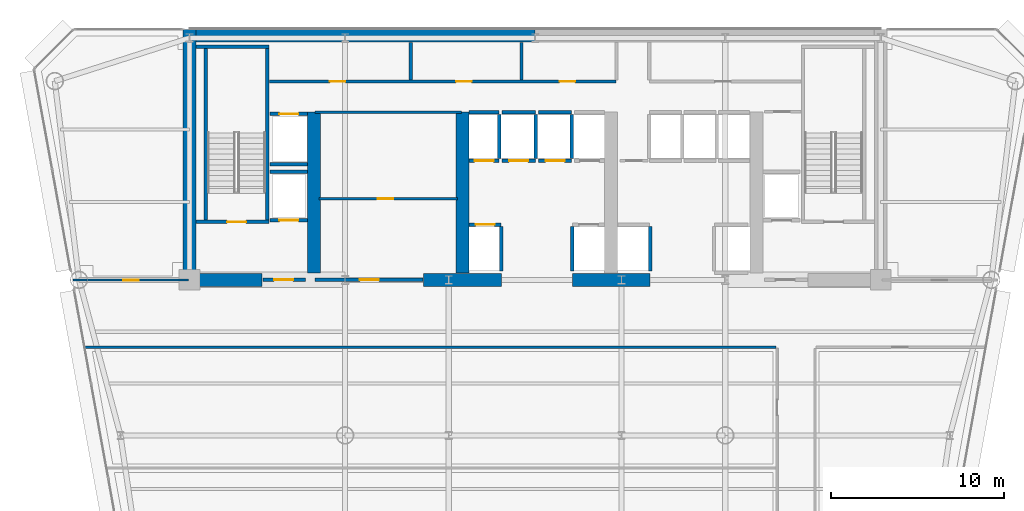
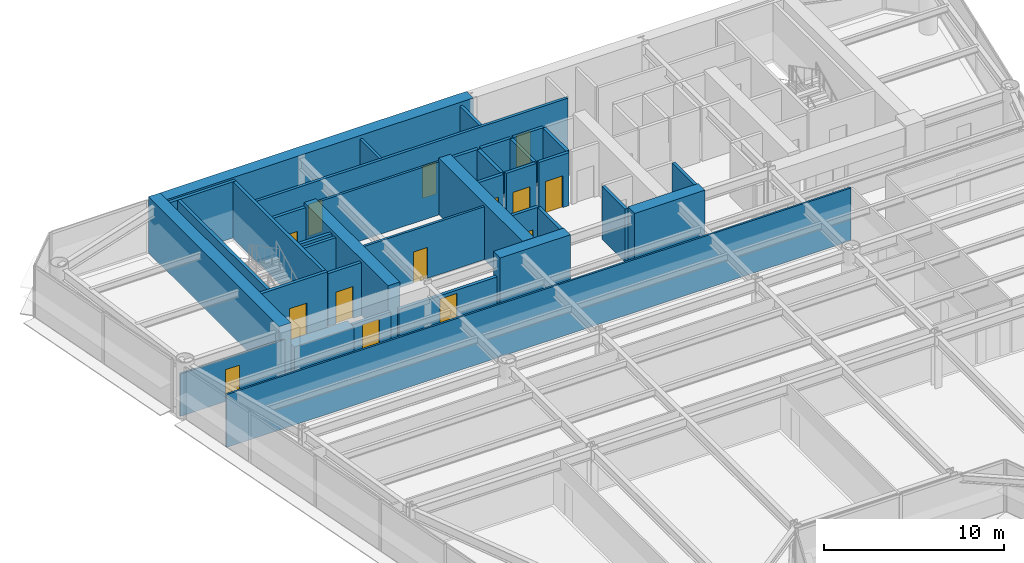
# One storey, part 8 of 14: 37 walls, 14 doors, 14 openings.
"""IFC4 building model written with IfcOpenShell, lengths in metres."""

from ifc_helpers import new_model, si_unit, direction, frame, frame_2d, origin, place, context, subcontext, project, spatial, rectangle, extrude, source, transform, mapped, material, layer, layer_set, type_object, element, fill, save


model = new_model("IFC4")

# Units and contexts
model_context = context("Model", 3, precision=1e-05, world=origin(), true_north=direction((0.0, 1.0)))
body_context = subcontext(model_context, "Body", "Model", "MODEL_VIEW")
ifc_project = project(units=[si_unit("LENGTHUNIT", "METRE"), si_unit("AREAUNIT", "SQUARE_METRE"), si_unit("VOLUMEUNIT", "CUBIC_METRE"), si_unit("PLANEANGLEUNIT", "RADIAN"), si_unit("MASSUNIT", "GRAM", prefix="KILO")], contexts=[model_context])

# Site, building, storey
site_placement = place(None, origin())
site = spatial("IfcSite", under=ifc_project, at=site_placement, CompositionType="ELEMENT")
building_placement = place(site_placement, origin())
building = spatial("IfcBuilding", under=site, at=building_placement, Name="Vaeldorn Concourse Tower", CompositionType="ELEMENT")
storey_placement = place(building_placement, frame((0.0, 0.0, 133.800048828125)))
storey = spatial("IfcBuildingStorey", under=building, at=storey_placement, Name="L34", CompositionType="ELEMENT", Elevation=133.800048828125)

# Walls
ifc_material_1 = material(Name="Concrete C60/75", Category="concrete")
ifc_layer_1 = layer(ifc_material_1, 0.75)
ifc_layer_set_1 = layer_set([ifc_layer_1], Name="Concrete C60/75")
wall_type_1 = type_object("IfcWallType", Name="WL-CORE-750", PredefinedType="SHEAR", material=ifc_layer_set_1)
wall_1_placement = place(storey_placement, frame((14.37890625, 50.625, 0.0), z_axis=(0.0, 0.0, 1.0), x_axis=(1.0, 0.0, 0.0)))
element("IfcWall", 1, at=wall_1_placement, inside=storey, type_object=wall_type_1, Name="Rear Core Shear Wall L34 N1", PredefinedType="SHEAR", context=body_context, shape_type="SweptSolid", body=[
    extrude(rectangle(XDim=19.619140625, YDim=0.75, at=frame_2d((9.8095703125, 0.0))), origin(), (0.0, 0.0, 1.0), 3.800048828125),
])
wall_2_placement = place(storey_placement, frame((14.0, 36.5, 0.0), z_axis=(0.0, 0.0, 1.0), x_axis=(0.0, 1.0, 0.0)))
element("IfcWall", 2, at=wall_2_placement, inside=storey, type_object=wall_type_1, Name="Rear Core Shear Wall L34 W1", PredefinedType="SHEAR", context=body_context, shape_type="SweptSolid", body=[
    extrude(rectangle(XDim=14.5, YDim=0.75, at=frame_2d((7.25, 0.0))), origin(), (0.0, 0.0, 1.0), 3.800048828125),
])
wall_3_placement = place(storey_placement, frame((14.39501953125, 36.5, 0.0), z_axis=(0.0, 0.0, 1.0), x_axis=(1.0, 0.0, 0.0)))
element("IfcWall", 3, at=wall_3_placement, inside=storey, type_object=wall_type_1, Name="Rear Core Shear Wall L34 S1", PredefinedType="SHEAR", context=body_context, shape_type="SweptSolid", body=[
    extrude(rectangle(XDim=3.804931640625, YDim=0.75, at=frame_2d((1.90234375, 0.0))), origin(), (0.0, 0.0, 1.0), 2.3798828125),
])
for number, where, z_axis, x_axis, name in (
    (4, (27.550048828125, 36.5, 0.0), (0.0, 0.0, 1.0), (1.0, 0.0, 0.0), "Rear Core Shear Wall L34 S2"),
    (5, (36.14990234375, 36.5, 0.0), (0.0, 0.0, 1.0), (1.0, 0.0, 0.0), "Rear Core Shear Wall L34 S3"),
):
    element("IfcWall", number, at=place(storey_placement, frame(where, z_axis=z_axis, x_axis=x_axis)), inside=storey, type_object=wall_type_1, Name=name, PredefinedType="SHEAR", context=body_context, shape_type="SweptSolid", body=[
        extrude(rectangle(XDim=4.5, YDim=0.75, at=frame_2d((2.25, 0.0))), origin(), (0.0, 0.0, 1.0), 3.800048828125),
    ])
for number, where, z_axis, x_axis, name in (
    (6, (21.199951171875, 36.89501953125, 0.0), (0.0, 0.0, 1.0), (0.0, 1.0, 0.0), "Rear Core Shear Wall L34 M1"),
    (7, (29.800048828125, 36.89501953125, 0.0), (0.0, 0.0, 1.0), (0.0, 1.0, 0.0), "Rear Core Shear Wall L34 M2"),
):
    element("IfcWall", number, at=place(storey_placement, frame(where, z_axis=z_axis, x_axis=x_axis)), inside=storey, type_object=wall_type_1, Name=name, PredefinedType="SHEAR", context=body_context, shape_type="SweptSolid", body=[
        extrude(rectangle(XDim=9.304931640625, YDim=0.75, at=frame_2d((4.65234375, 0.0))), origin(), (0.0, 0.0, 1.0), 3.800048828125),
    ])
ifc_material_2 = material(Name="Gypsum Board Partition", Category="gypsum")
ifc_layer_2 = layer(ifc_material_2, 0.1201171875)
ifc_layer_set_2 = layer_set([ifc_layer_2], Name="Gypsum Board Partition")
wall_type_2 = type_object("IfcWallType", Name="WL-PART-120", PredefinedType="PARTITIONING", material=ifc_layer_set_2)
wall_4_placement = place(storey_placement, frame((7.964111328125, 32.60009765625, 0.0), z_axis=(0.0, 0.0, 1.0), x_axis=(1.0, 0.0, 0.0)))
element("IfcWall", 8, at=wall_4_placement, inside=storey, type_object=wall_type_2, Name="Interior Wall PW-L34-C2SW", PredefinedType="PARTITIONING", context=body_context, shape_type="SweptSolid", body=[
    extrude(rectangle(XDim=39.975830078125, YDim=0.1201171875, at=frame_2d((19.98779296875, 0.0))), origin(), (0.0, 0.0, 1.0), 3.579833984375),
])

# Wall, opening, door
wall_5_placement = place(storey_placement, frame((7.264892578125, 36.47998046875, 0.0), z_axis=(0.0, 0.0, 1.0), x_axis=(1.0, 0.0, 0.0)))
wall_5 = element("IfcWall", 9, at=wall_5_placement, inside=storey, type_object=wall_type_2, Name="Interior Wall PW-L34-NWS", PredefinedType="PARTITIONING", context=body_context, shape_type="SweptSolid", body=[
    extrude(rectangle(XDim=6.675048828125, YDim=0.1201171875, at=frame_2d((3.33740234375, 0.0))), origin(), (0.0, 0.0, 1.0), 2.869873046875),
])
opening_1_placement = place(wall_5_placement, frame((2.887939453125, 0.0, 0.0)))
opening_1 = element("IfcOpeningElement", 10, at=opening_1_placement, cuts=wall_5, Name="Opening D-03", PredefinedType="OPENING", context=body_context, shape_type="SweptSolid", body=[
    extrude(rectangle(XDim=0.89990234375, YDim=2.14990234375, at=frame_2d((0.449951171875, 1.074951171875))), frame((0.0, 0.070068359375, 0.0), z_axis=(0.0, -1.0, 0.0), x_axis=(1.0, 0.0, 0.0)), (0.0, 0.0, 1.0), 0.14013671875),
])
ifc_material_3 = material(Name="Acoustic Bronze-Framed Glass Door", Category="glass")
door_type_1 = type_object("IfcDoorType", Name="DR-INT-900", OperationType="NOTDEFINED", PredefinedType="DOOR", material=ifc_material_3)
shared_shape_1 = source(origin(), body_context, "Body", "SweptSolid", [
    extrude(rectangle(XDim=0.89990234375, YDim=2.14990234375, at=frame_2d((0.449951171875, 1.074951171875))), frame((0.0, 0.02490234375, 0.0), z_axis=(0.0, -1.0, 0.0), x_axis=(1.0, 0.0, 0.0)), (0.0, 0.0, 1.0), 0.050048828125),
])
door_1_placement = place(opening_1_placement, origin())
door_1 = element("IfcDoor", 11, at=door_1_placement, inside=storey, type_object=door_type_1, Name="Interior Door DR-L34-NWC", OperationType="SINGLE_SWING_LEFT", OverallHeight=2.14990234375, OverallWidth=0.89990234375, PredefinedType="DOOR", context=body_context, shape_type="MappedRepresentation", body=[
    mapped(shared_shape_1, transform((0.0, 0.0, 0.0), scale=1.0)),
])
fill(opening_1, door_1)

# Wall
ifc_layer_3 = layer(ifc_material_2, 0.14990234375)
ifc_layer_set_3 = layer_set([ifc_layer_3], Name="Gypsum Board Partition")
wall_type_3 = type_object("IfcWallType", Name="WL-PART-150", PredefinedType="PARTITIONING", material=ifc_layer_set_3)
wall_6_placement = place(storey_placement, frame((21.25, 46.199951171875, 0.0), z_axis=(0.0, 0.0, 1.0), x_axis=(1.0, 0.0, 0.0)))
element("IfcWall", 12, at=wall_6_placement, inside=storey, type_object=wall_type_3, Name="Interior Wall CW-L34-R1N", PredefinedType="PARTITIONING", context=body_context, shape_type="SweptSolid", body=[
    extrude(rectangle(XDim=8.5, YDim=0.14990234375, at=frame_2d((4.25, 0.0))), origin(), (0.0, 0.0, 1.0), 3.579833984375),
])

# Wall, opening, door
wall_7_placement = place(storey_placement, frame((21.5, 41.199951171875, 0.0), z_axis=(0.0, 0.0, 1.0), x_axis=(1.0, 0.0, 0.0)))
wall_7 = element("IfcWall", 13, at=wall_7_placement, inside=storey, type_object=wall_type_3, Name="Interior Wall CW-L34-R1M", PredefinedType="PARTITIONING", context=body_context, shape_type="SweptSolid", body=[
    extrude(rectangle(XDim=8.0, YDim=0.14990234375, at=frame_2d((4.0, 0.0))), origin(), (0.0, 0.0, 1.0), 3.579833984375),
])
opening_2_placement = place(wall_7_placement, frame((3.39990234375, 0.0, 0.0)))
opening_2 = element("IfcOpeningElement", 14, at=opening_2_placement, cuts=wall_7, Name="Opening D-02", PredefinedType="OPENING", context=body_context, shape_type="SweptSolid", body=[
    extrude(rectangle(XDim=0.89990234375, YDim=2.10009765625, at=frame_2d((0.449951171875, 1.050048828125))), frame((0.0, 0.0849609375, 0.0), z_axis=(0.0, -1.0, 0.0), x_axis=(1.0, 0.0, 0.0)), (0.0, 0.0, 1.0), 0.169921875),
])
ifc_material_4 = material(Name="Fire-Rated Timber Leaf", Category="wood")
door_type_2 = type_object("IfcDoorType", Name="DR-FD30-900", OperationType="NOTDEFINED", PredefinedType="DOOR", material=ifc_material_4)
shared_shape_2 = source(origin(), body_context, "Body", "SweptSolid", [
    extrude(rectangle(XDim=0.89990234375, YDim=2.10009765625, at=frame_2d((0.449951171875, 1.050048828125))), frame((0.0, 0.02490234375, 0.0), z_axis=(0.0, -1.0, 0.0), x_axis=(1.0, 0.0, 0.0)), (0.0, 0.0, 1.0), 0.050048828125),
])
door_2_placement = place(opening_2_placement, origin())
door_2 = element("IfcDoor", 15, at=door_2_placement, inside=storey, type_object=door_type_2, Name="Interior Door DR-L34-R1M", OperationType="SINGLE_SWING_RIGHT", OverallHeight=2.10009765625, OverallWidth=0.89990234375, PredefinedType="DOOR", context=body_context, shape_type="MappedRepresentation", body=[
    mapped(shared_shape_2, transform((0.0, 0.0, 0.0), scale=1.0)),
])
fill(opening_2, door_2)

# Wall, openings, doors
ifc_layer_4 = layer(ifc_material_2, 0.179931640625)
ifc_layer_set_4 = layer_set([ifc_layer_4], Name="Gypsum Board Partition")
wall_type_4 = type_object("IfcWallType", Name="WL-PLUMB-180", PredefinedType="PLUMBINGWALL", material=ifc_layer_set_4)
wall_8_placement = place(storey_placement, frame((18.6201171875, 47.97998046875, 0.0), z_axis=(0.0, 0.0, 1.0), x_axis=(1.0, 0.0, 0.0)))
wall_8 = element("IfcWall", 16, at=wall_8_placement, inside=storey, type_object=wall_type_4, Name="Interior Wall CW-L34-NS1W", PredefinedType="PLUMBINGWALL", context=body_context, shape_type="SweptSolid", body=[
    extrude(rectangle(XDim=20.059814453125, YDim=0.179931640625, at=frame_2d((10.02978515625, 0.0))), origin(), (0.0, 0.0, 1.0), 3.579833984375),
])
opening_3_placement = place(wall_8_placement, frame((3.5, 0.0, 0.0)))
opening_3 = element("IfcOpeningElement", 17, at=opening_3_placement, cuts=wall_8, Name="Opening D-03", PredefinedType="OPENING", context=body_context, shape_type="SweptSolid", body=[
    extrude(rectangle(XDim=0.89990234375, YDim=2.14990234375, at=frame_2d((0.449951171875, 1.074951171875))), frame((0.0, 0.10009765625, 0.0), z_axis=(0.0, -1.0, 0.0), x_axis=(1.0, 0.0, 0.0)), (0.0, 0.0, 1.0), 0.199951171875),
])
opening_4_placement = place(wall_8_placement, frame((10.800048828125, 0.0, 0.0)))
opening_4 = element("IfcOpeningElement", 18, at=opening_4_placement, cuts=wall_8, Name="Opening D-03", PredefinedType="OPENING", context=body_context, shape_type="SweptSolid", body=[
    extrude(rectangle(XDim=0.89990234375, YDim=2.14990234375, at=frame_2d((0.449951171875, 1.074951171875))), frame((0.0, 0.10009765625, 0.0), z_axis=(0.0, -1.0, 0.0), x_axis=(1.0, 0.0, 0.0)), (0.0, 0.0, 1.0), 0.199951171875),
])
opening_5_placement = place(wall_8_placement, frame((16.800048828125, 0.0, 0.0)))
opening_5 = element("IfcOpeningElement", 19, at=opening_5_placement, cuts=wall_8, Name="Opening D-03", PredefinedType="OPENING", context=body_context, shape_type="SweptSolid", body=[
    extrude(rectangle(XDim=0.89990234375, YDim=2.14990234375, at=frame_2d((0.449951171875, 1.074951171875))), frame((0.0, 0.10009765625, 0.0), z_axis=(0.0, -1.0, 0.0), x_axis=(1.0, 0.0, 0.0)), (0.0, 0.0, 1.0), 0.199951171875),
])
door_3_placement = place(opening_3_placement, origin())
door_3 = element("IfcDoor", 20, at=door_3_placement, inside=storey, type_object=door_type_1, Name="Interior Door DR-L34-CS1", OperationType="SINGLE_SWING_LEFT", OverallHeight=2.14990234375, OverallWidth=0.89990234375, PredefinedType="DOOR", context=body_context, shape_type="MappedRepresentation", body=[
    mapped(shared_shape_1, transform((0.0, 0.0, 0.0), scale=1.0)),
])
fill(opening_3, door_3)
door_4_placement = place(opening_4_placement, origin())
door_4 = element("IfcDoor", 21, at=door_4_placement, inside=storey, type_object=door_type_1, Name="Interior Door DR-L34-CS2", OperationType="SINGLE_SWING_RIGHT", OverallHeight=2.14990234375, OverallWidth=0.89990234375, PredefinedType="DOOR", context=body_context, shape_type="MappedRepresentation", body=[
    mapped(shared_shape_1, transform((0.0, 0.0, 0.0), scale=1.0)),
])
fill(opening_4, door_4)
door_5_placement = place(opening_5_placement, origin())
door_5 = element("IfcDoor", 22, at=door_5_placement, inside=storey, type_object=door_type_1, Name="Interior Door DR-L34-CS3", OperationType="SINGLE_SWING_LEFT", OverallHeight=2.14990234375, OverallWidth=0.89990234375, PredefinedType="DOOR", context=body_context, shape_type="MappedRepresentation", body=[
    mapped(shared_shape_1, transform((0.0, 0.0, 0.0), scale=1.0)),
])
fill(opening_5, door_5)

# Walls
for number, where, z_axis, x_axis, name in (
    (23, (26.800048828125, 48.06005859375, 0.0), (0.0, 0.0, 1.0), (0.0, 1.0, 0.0), "Interior Wall CW-L34-NDIV1"),
    (24, (33.199951171875, 48.06005859375, 0.0), (0.0, 0.0, 1.0), (0.0, 1.0, 0.0), "Interior Wall CW-L34-NDIV2"),
):
    element("IfcWall", number, at=place(storey_placement, frame(where, z_axis=z_axis, x_axis=x_axis)), inside=storey, type_object=wall_type_4, Name=name, PredefinedType="PLUMBINGWALL", context=body_context, shape_type="SweptSolid", body=[
        extrude(rectangle(XDim=2.169921875, YDim=0.179931640625, at=frame_2d((1.0849609375, 0.0))), origin(), (0.0, 0.0, 1.0), 3.579833984375),
    ])

# Wall, opening, door
ifc_material_5 = material(Name="Concrete C50/60", Category="concrete")
ifc_layer_5 = layer(ifc_material_5, 0.199951171875)
ifc_layer_set_5 = layer_set([ifc_layer_5], Name="Concrete C50/60")
wall_type_5 = type_object("IfcWallType", Name="WL-SHAFT-200", PredefinedType="SOLIDWALL", material=ifc_layer_set_5)
wall_9_placement = place(storey_placement, frame((14.375, 39.85009765625, 0.0), z_axis=(0.0, 0.0, 1.0), x_axis=(1.0, 0.0, 0.0)))
wall_9 = element("IfcWall", 25, at=wall_9_placement, inside=storey, type_object=wall_type_5, Name="Stair Shaft Wall CW-L34-ST-1-S", PredefinedType="SOLIDWALL", context=body_context, shape_type="SweptSolid", body=[
    extrude(rectangle(XDim=4.22509765625, YDim=0.199951171875, at=frame_2d((2.112548828125, 0.0))), origin(), (0.0, 0.0, 1.0), 3.800048828125),
])
opening_6_placement = place(wall_9_placement, frame((1.800048828125, 0.0, 0.0)))
opening_6 = element("IfcOpeningElement", 26, at=opening_6_placement, cuts=wall_9, Name="Opening D-01", PredefinedType="OPENING", context=body_context, shape_type="SweptSolid", body=[
    extrude(rectangle(XDim=1.10009765625, YDim=2.14990234375, at=frame_2d((0.550048828125, 1.074951171875))), frame((0.0, 0.10986328125, 0.0), z_axis=(0.0, -1.0, 0.0), x_axis=(1.0, 0.0, 0.0)), (0.0, 0.0, 1.0), 0.219970703125),
])
ifc_material_6 = material(Name="Fire-Rated Timber and Steel Leaf", Category="steel")
door_type_3 = type_object("IfcDoorType", Name="DR-FD60-1100", OperationType="NOTDEFINED", PredefinedType="DOOR", material=ifc_material_6)
shared_shape_3 = source(origin(), body_context, "Body", "SweptSolid", [
    extrude(rectangle(XDim=1.10009765625, YDim=2.14990234375, at=frame_2d((0.550048828125, 1.074951171875))), frame((0.0, 0.02490234375, 0.0), z_axis=(0.0, -1.0, 0.0), x_axis=(1.0, 0.0, 0.0)), (0.0, 0.0, 1.0), 0.050048828125),
])
door_6_placement = place(opening_6_placement, origin())
door_6 = element("IfcDoor", 27, at=door_6_placement, inside=storey, type_object=door_type_3, Name="Interior Door DR-L34-ST-1", OperationType="SINGLE_SWING_LEFT", OverallHeight=2.14990234375, OverallWidth=1.10009765625, PredefinedType="DOOR", context=body_context, shape_type="MappedRepresentation", body=[
    mapped(shared_shape_3, transform((0.0, 0.0, 0.0), scale=1.0)),
])
fill(opening_6, door_6)

# Walls
wall_10_placement = place(storey_placement, frame((14.375, 50.0, 0.0), z_axis=(0.0, 0.0, 1.0), x_axis=(1.0, 0.0, 0.0)))
element("IfcWall", 28, at=wall_10_placement, inside=storey, type_object=wall_type_5, Name="Stair Shaft Wall CW-L34-ST-1-N", PredefinedType="SOLIDWALL", context=body_context, shape_type="SweptSolid", body=[
    extrude(rectangle(XDim=4.22509765625, YDim=0.199951171875, at=frame_2d((2.112548828125, 0.0))), origin(), (0.0, 0.0, 1.0), 3.800048828125),
])
for number, where, z_axis, x_axis, name in (
    (29, (14.949951171875, 39.9599609375, 0.0), (0.0, 0.0, 1.0), (0.0, 1.0, 0.0), "Stair Shaft Wall CW-L34-ST-1-W"),
    (30, (18.5, 39.9599609375, 0.0), (0.0, 0.0, 1.0), (0.0, 1.0, 0.0), "Stair Shaft Wall CW-L34-ST-1-E"),
):
    element("IfcWall", number, at=place(storey_placement, frame(where, z_axis=z_axis, x_axis=x_axis)), inside=storey, type_object=wall_type_5, Name=name, PredefinedType="SOLIDWALL", context=body_context, shape_type="SweptSolid", body=[
        extrude(rectangle(XDim=9.929931640625, YDim=0.199951171875, at=frame_2d((4.96484375, 0.0))), origin(), (0.0, 0.0, 1.0), 3.800048828125),
    ])

# Wall, opening, door
wall_11_placement = place(storey_placement, frame((18.25, 36.5, 0.0), z_axis=(0.0, 0.0, 1.0), x_axis=(1.0, 0.0, 0.0)))
wall_11 = element("IfcWall", 31, at=wall_11_placement, inside=storey, type_object=wall_type_5, Name="Interior Wall CW-L34-FF1S", PredefinedType="SOLIDWALL", context=body_context, shape_type="SweptSolid", body=[
    extrude(rectangle(XDim=2.469970703125, YDim=0.199951171875, at=frame_2d((1.23486328125, 0.0))), origin(), (0.0, 0.0, 1.0), 2.369873046875),
])
opening_7_placement = place(wall_11_placement, frame((0.64990234375, 0.0, 0.0)))
opening_7 = element("IfcOpeningElement", 32, at=opening_7_placement, cuts=wall_11, Name="Opening D-01", PredefinedType="OPENING", context=body_context, shape_type="SweptSolid", body=[
    extrude(rectangle(XDim=1.10009765625, YDim=2.14990234375, at=frame_2d((0.550048828125, 1.074951171875))), frame((0.0, 0.10986328125, 0.0), z_axis=(0.0, -1.0, 0.0), x_axis=(1.0, 0.0, 0.0)), (0.0, 0.0, 1.0), 0.219970703125),
])
door_7_placement = place(opening_7_placement, origin())
door_7 = element("IfcDoor", 33, at=door_7_placement, inside=storey, type_object=door_type_3, Name="Interior Door DR-L34-FF1E", OperationType="SINGLE_SWING_RIGHT", OverallHeight=2.14990234375, OverallWidth=1.10009765625, PredefinedType="DOOR", context=body_context, shape_type="MappedRepresentation", body=[
    mapped(shared_shape_3, transform((0.0, 0.0, 0.0), scale=1.0)),
])
fill(opening_7, door_7)

wall_12_placement = place(storey_placement, frame((30.18505859375, 39.699951171875, 0.0), z_axis=(0.0, 0.0, 1.0), x_axis=(1.0, 0.0, 0.0)))
wall_12 = element("IfcWall", 34, at=wall_12_placement, inside=storey, type_object=wall_type_5, Name="Interior Wall CW-L34-LF-LF-07", PredefinedType="SOLIDWALL", context=body_context, shape_type="SweptSolid", body=[
    extrude(rectangle(XDim=1.844970703125, YDim=0.199951171875, at=frame_2d((0.92236328125, 0.0))), origin(), (0.0, 0.0, 1.0), 3.579833984375),
])
opening_8_placement = place(wall_12_placement, frame((0.373046875, 0.0, 0.0)))
opening_8 = element("IfcOpeningElement", 35, at=opening_8_placement, cuts=wall_12, Name="Opening LD-1", PredefinedType="OPENING", context=body_context, shape_type="SweptSolid", body=[
    extrude(rectangle(XDim=1.10009765625, YDim=2.14990234375, at=frame_2d((0.550048828125, 1.074951171875))), frame((0.0, 0.10986328125, 0.0), z_axis=(0.0, -1.0, 0.0), x_axis=(1.0, 0.0, 0.0)), (0.0, 0.0, 1.0), 0.219970703125),
])
ifc_material_7 = material(Name="Anodised Bronze Aluminium", Category="aluminium")
door_type_4 = type_object("IfcDoorType", Name="DR-LIFT-SLIDE-1100", OperationType="DOUBLE_DOOR_SLIDING", PredefinedType="DOOR", material=ifc_material_7)
door_8_placement = place(opening_8_placement, origin())
door_8 = element("IfcDoor", 36, at=door_8_placement, inside=storey, type_object=door_type_4, Name="Lift Landing Door LD-L34-LF-07", OperationType="DOUBLE_DOOR_SLIDING", OverallHeight=2.14990234375, OverallWidth=1.10009765625, PredefinedType="DOOR", context=body_context, shape_type="MappedRepresentation", body=[
    mapped(shared_shape_3, transform((0.0, 0.0, 0.0), scale=1.0)),
])
fill(opening_8, door_8)

# Walls
for number, where, z_axis, x_axis, name in (
    (37, (32.050048828125, 37.02001953125, 0.0), (0.0, 0.0, 1.0), (0.0, 1.0, 0.0), "Interior Wall CW-L34-LFE-LF-07"),
    (38, (36.14990234375, 37.02001953125, 0.0), (0.0, 0.0, 1.0), (0.0, 1.0, 0.0), "Interior Wall CW-L34-LFW-LF-08"),
):
    element("IfcWall", number, at=place(storey_placement, frame(where, z_axis=z_axis, x_axis=x_axis)), inside=storey, type_object=wall_type_5, Name=name, PredefinedType="SOLIDWALL", context=body_context, shape_type="SweptSolid", body=[
        extrude(rectangle(XDim=2.56005859375, YDim=0.199951171875, at=frame_2d((1.280029296875, 0.0))), origin(), (0.0, 0.0, 1.0), 3.579833984375),
    ])

# Wall, opening, door
wall_13_placement = place(storey_placement, frame((30.18505859375, 43.39990234375, 0.0), z_axis=(0.0, 0.0, 1.0), x_axis=(1.0, 0.0, 0.0)))
wall_13 = element("IfcWall", 39, at=wall_13_placement, inside=storey, type_object=wall_type_5, Name="Interior Wall CW-L34-LF-LF-09", PredefinedType="SOLIDWALL", context=body_context, shape_type="SweptSolid", body=[
    extrude(rectangle(XDim=1.724853515625, YDim=0.199951171875, at=frame_2d((0.8623046875, 0.0))), origin(), (0.0, 0.0, 1.0), 3.579833984375),
])
opening_9_placement = place(wall_13_placement, frame((0.31298828125, 0.0, 0.0)))
opening_9 = element("IfcOpeningElement", 40, at=opening_9_placement, cuts=wall_13, Name="Opening LD-1", PredefinedType="OPENING", context=body_context, shape_type="SweptSolid", body=[
    extrude(rectangle(XDim=1.10009765625, YDim=2.14990234375, at=frame_2d((0.550048828125, 1.074951171875))), frame((0.0, 0.10986328125, 0.0), z_axis=(0.0, -1.0, 0.0), x_axis=(1.0, 0.0, 0.0)), (0.0, 0.0, 1.0), 0.219970703125),
])
door_9_placement = place(opening_9_placement, origin())
door_9 = element("IfcDoor", 41, at=door_9_placement, inside=storey, type_object=door_type_4, Name="Lift Landing Door LD-L34-LF-09", OperationType="DOUBLE_DOOR_SLIDING", OverallHeight=2.14990234375, OverallWidth=1.10009765625, PredefinedType="DOOR", context=body_context, shape_type="MappedRepresentation", body=[
    mapped(shared_shape_3, transform((0.0, 0.0, 0.0), scale=1.0)),
])
fill(opening_9, door_9)

# Walls
wall_14_placement = place(storey_placement, frame((30.18505859375, 46.199951171875, 0.0), z_axis=(0.0, 0.0, 1.0), x_axis=(1.0, 0.0, 0.0)))
element("IfcWall", 42, at=wall_14_placement, inside=storey, type_object=wall_type_5, Name="Interior Wall CW-L34-LFB-LF-09", PredefinedType="SOLIDWALL", context=body_context, shape_type="SweptSolid", body=[
    extrude(rectangle(XDim=1.724853515625, YDim=0.199951171875, at=frame_2d((0.8623046875, 0.0))), origin(), (0.0, 0.0, 1.0), 3.579833984375),
])
wall_15_placement = place(storey_placement, frame((31.929931640625, 43.52001953125, 0.0), z_axis=(0.0, 0.0, 1.0), x_axis=(0.0, 1.0, 0.0)))
element("IfcWall", 43, at=wall_15_placement, inside=storey, type_object=wall_type_5, Name="Interior Wall CW-L34-LFE-LF-09", PredefinedType="SOLIDWALL", context=body_context, shape_type="SweptSolid", body=[
    extrude(rectangle(XDim=2.56005859375, YDim=0.199951171875, at=frame_2d((1.280029296875, 0.0))), origin(), (0.0, 0.0, 1.0), 3.579833984375),
])

# Wall, opening, door
wall_16_placement = place(storey_placement, frame((32.090087890625, 43.39990234375, 0.0), z_axis=(0.0, 0.0, 1.0), x_axis=(1.0, 0.0, 0.0)))
wall_16 = element("IfcWall", 44, at=wall_16_placement, inside=storey, type_object=wall_type_5, Name="Interior Wall CW-L34-LF-LF-10", PredefinedType="SOLIDWALL", context=body_context, shape_type="SweptSolid", body=[
    extrude(rectangle(XDim=1.919921875, YDim=0.199951171875, at=frame_2d((0.9599609375, 0.0))), origin(), (0.0, 0.0, 1.0), 3.579833984375),
])
opening_10_placement = place(wall_16_placement, frame((0.409912109375, 0.0, 0.0)))
opening_10 = element("IfcOpeningElement", 45, at=opening_10_placement, cuts=wall_16, Name="Opening LD-1", PredefinedType="OPENING", context=body_context, shape_type="SweptSolid", body=[
    extrude(rectangle(XDim=1.10009765625, YDim=2.14990234375, at=frame_2d((0.550048828125, 1.074951171875))), frame((0.0, 0.10986328125, 0.0), z_axis=(0.0, -1.0, 0.0), x_axis=(1.0, 0.0, 0.0)), (0.0, 0.0, 1.0), 0.219970703125),
])
door_10_placement = place(opening_10_placement, origin())
door_10 = element("IfcDoor", 46, at=door_10_placement, inside=storey, type_object=door_type_4, Name="Lift Landing Door LD-L34-LF-10", OperationType="DOUBLE_DOOR_SLIDING", OverallHeight=2.14990234375, OverallWidth=1.10009765625, PredefinedType="DOOR", context=body_context, shape_type="MappedRepresentation", body=[
    mapped(shared_shape_3, transform((0.0, 0.0, 0.0), scale=1.0)),
])
fill(opening_10, door_10)

# Walls
wall_17_placement = place(storey_placement, frame((32.090087890625, 46.199951171875, 0.0), z_axis=(0.0, 0.0, 1.0), x_axis=(1.0, 0.0, 0.0)))
element("IfcWall", 47, at=wall_17_placement, inside=storey, type_object=wall_type_5, Name="Interior Wall CW-L34-LFB-LF-10", PredefinedType="SOLIDWALL", context=body_context, shape_type="SweptSolid", body=[
    extrude(rectangle(XDim=1.919921875, YDim=0.199951171875, at=frame_2d((0.9599609375, 0.0))), origin(), (0.0, 0.0, 1.0), 3.579833984375),
])
wall_18_placement = place(storey_placement, frame((34.030029296875, 43.52001953125, 0.0), z_axis=(0.0, 0.0, 1.0), x_axis=(0.0, 1.0, 0.0)))
element("IfcWall", 48, at=wall_18_placement, inside=storey, type_object=wall_type_5, Name="Interior Wall CW-L34-LFE-LF-10", PredefinedType="SOLIDWALL", context=body_context, shape_type="SweptSolid", body=[
    extrude(rectangle(XDim=2.56005859375, YDim=0.199951171875, at=frame_2d((1.280029296875, 0.0))), origin(), (0.0, 0.0, 1.0), 3.579833984375),
])

# Wall, opening, door
wall_19_placement = place(storey_placement, frame((34.18994140625, 43.39990234375, 0.0), z_axis=(0.0, 0.0, 1.0), x_axis=(1.0, 0.0, 0.0)))
wall_19 = element("IfcWall", 49, at=wall_19_placement, inside=storey, type_object=wall_type_5, Name="Interior Wall CW-L34-LF-LF-11", PredefinedType="SOLIDWALL", context=body_context, shape_type="SweptSolid", body=[
    extrude(rectangle(XDim=1.920166015625, YDim=0.199951171875, at=frame_2d((0.9599609375, 0.0))), origin(), (0.0, 0.0, 1.0), 3.579833984375),
])
opening_11_placement = place(wall_19_placement, frame((0.409912109375, 0.0, 0.0)))
opening_11 = element("IfcOpeningElement", 50, at=opening_11_placement, cuts=wall_19, Name="Opening LD-1", PredefinedType="OPENING", context=body_context, shape_type="SweptSolid", body=[
    extrude(rectangle(XDim=1.10009765625, YDim=2.14990234375, at=frame_2d((0.550048828125, 1.074951171875))), frame((0.0, 0.10986328125, 0.0), z_axis=(0.0, -1.0, 0.0), x_axis=(1.0, 0.0, 0.0)), (0.0, 0.0, 1.0), 0.219970703125),
])
door_11_placement = place(opening_11_placement, origin())
door_11 = element("IfcDoor", 51, at=door_11_placement, inside=storey, type_object=door_type_4, Name="Lift Landing Door LD-L34-LF-11", OperationType="DOUBLE_DOOR_SLIDING", OverallHeight=2.14990234375, OverallWidth=1.10009765625, PredefinedType="DOOR", context=body_context, shape_type="MappedRepresentation", body=[
    mapped(shared_shape_3, transform((0.0, 0.0, 0.0), scale=1.0)),
])
fill(opening_11, door_11)

# Walls
wall_20_placement = place(storey_placement, frame((34.18994140625, 46.199951171875, 0.0), z_axis=(0.0, 0.0, 1.0), x_axis=(1.0, 0.0, 0.0)))
element("IfcWall", 52, at=wall_20_placement, inside=storey, type_object=wall_type_5, Name="Interior Wall CW-L34-LFB-LF-11", PredefinedType="SOLIDWALL", context=body_context, shape_type="SweptSolid", body=[
    extrude(rectangle(XDim=1.920166015625, YDim=0.199951171875, at=frame_2d((0.9599609375, 0.0))), origin(), (0.0, 0.0, 1.0), 3.579833984375),
])
for number, where, z_axis, x_axis, name in (
    (53, (36.1298828125, 43.52001953125, 0.0), (0.0, 0.0, 1.0), (0.0, 1.0, 0.0), "Interior Wall CW-L34-LFE-LF-11"),
    (54, (40.64990234375, 37.02001953125, 0.0), (0.0, 0.0, 1.0), (0.0, 1.0, 0.0), "Interior Wall CW-L34-LFE-LF-13"),
):
    element("IfcWall", number, at=place(storey_placement, frame(where, z_axis=z_axis, x_axis=x_axis)), inside=storey, type_object=wall_type_5, Name=name, PredefinedType="SOLIDWALL", context=body_context, shape_type="SweptSolid", body=[
        extrude(rectangle(XDim=2.56005859375, YDim=0.199951171875, at=frame_2d((1.280029296875, 0.0))), origin(), (0.0, 0.0, 1.0), 3.579833984375),
    ])

# Wall, opening, door
wall_21_placement = place(storey_placement, frame((18.669921875, 46.10009765625, 0.0), z_axis=(0.0, 0.0, 1.0), x_axis=(1.0, 0.0, 0.0)))
wall_21 = element("IfcWall", 55, at=wall_21_placement, inside=storey, type_object=wall_type_5, Name="Interior Wall CW-L34-LF-LF-SV1", PredefinedType="SOLIDWALL", context=body_context, shape_type="SweptSolid", body=[
    extrude(rectangle(XDim=2.14501953125, YDim=0.199951171875, at=frame_2d((1.072509765625, 0.0))), origin(), (0.0, 0.0, 1.0), 3.579833984375),
])
opening_12_placement = place(wall_21_placement, frame((0.52197265625, 0.0, 0.0)))
opening_12 = element("IfcOpeningElement", 56, at=opening_12_placement, cuts=wall_21, Name="Opening LD-1", PredefinedType="OPENING", context=body_context, shape_type="SweptSolid", body=[
    extrude(rectangle(XDim=1.10009765625, YDim=2.14990234375, at=frame_2d((0.550048828125, 1.074951171875))), frame((0.0, 0.10986328125, 0.0), z_axis=(0.0, -1.0, 0.0), x_axis=(1.0, 0.0, 0.0)), (0.0, 0.0, 1.0), 0.219970703125),
])
door_12_placement = place(opening_12_placement, origin())
door_12 = element("IfcDoor", 57, at=door_12_placement, inside=storey, type_object=door_type_4, Name="Lift Landing Door LD-L34-LF-SV1", OperationType="DOUBLE_DOOR_SLIDING", OverallHeight=2.14990234375, OverallWidth=1.10009765625, PredefinedType="DOOR", context=body_context, shape_type="MappedRepresentation", body=[
    mapped(shared_shape_3, transform((0.0, 0.0, 0.0), scale=1.0)),
])
fill(opening_12, door_12)

# Wall
wall_22_placement = place(storey_placement, frame((18.669921875, 43.199951171875, 0.0), z_axis=(0.0, 0.0, 1.0), x_axis=(1.0, 0.0, 0.0)))
element("IfcWall", 58, at=wall_22_placement, inside=storey, type_object=wall_type_5, Name="Interior Wall CW-L34-LFB-LF-SV1", PredefinedType="SOLIDWALL", context=body_context, shape_type="SweptSolid", body=[
    extrude(rectangle(XDim=2.14501953125, YDim=0.199951171875, at=frame_2d((1.072509765625, 0.0))), origin(), (0.0, 0.0, 1.0), 3.579833984375),
])

# Wall, opening, door
wall_23_placement = place(storey_placement, frame((18.669921875, 39.949951171875, 0.0), z_axis=(0.0, 0.0, 1.0), x_axis=(1.0, 0.0, 0.0)))
wall_23 = element("IfcWall", 59, at=wall_23_placement, inside=storey, type_object=wall_type_5, Name="Interior Wall CW-L34-LF-LF-FF1", PredefinedType="SOLIDWALL", context=body_context, shape_type="SweptSolid", body=[
    extrude(rectangle(XDim=2.14501953125, YDim=0.199951171875, at=frame_2d((1.072509765625, 0.0))), origin(), (0.0, 0.0, 1.0), 3.579833984375),
])
opening_13_placement = place(wall_23_placement, frame((0.52197265625, 0.0, 0.0)))
opening_13 = element("IfcOpeningElement", 60, at=opening_13_placement, cuts=wall_23, Name="Opening LD-1", PredefinedType="OPENING", context=body_context, shape_type="SweptSolid", body=[
    extrude(rectangle(XDim=1.10009765625, YDim=2.14990234375, at=frame_2d((0.550048828125, 1.074951171875))), frame((0.0, 0.10986328125, 0.0), z_axis=(0.0, -1.0, 0.0), x_axis=(1.0, 0.0, 0.0)), (0.0, 0.0, 1.0), 0.219970703125),
])
door_13_placement = place(opening_13_placement, origin())
door_13 = element("IfcDoor", 61, at=door_13_placement, inside=storey, type_object=door_type_4, Name="Lift Landing Door LD-L34-LF-FF1", OperationType="DOUBLE_DOOR_SLIDING", OverallHeight=2.14990234375, OverallWidth=1.10009765625, PredefinedType="DOOR", context=body_context, shape_type="MappedRepresentation", body=[
    mapped(shared_shape_3, transform((0.0, 0.0, 0.0), scale=1.0)),
])
fill(opening_13, door_13)

# Wall
wall_24_placement = place(storey_placement, frame((18.669921875, 42.75, 0.0), z_axis=(0.0, 0.0, 1.0), x_axis=(1.0, 0.0, 0.0)))
element("IfcWall", 62, at=wall_24_placement, inside=storey, type_object=wall_type_5, Name="Interior Wall CW-L34-LFB-LF-FF1", PredefinedType="SOLIDWALL", context=body_context, shape_type="SweptSolid", body=[
    extrude(rectangle(XDim=2.14501953125, YDim=0.199951171875, at=frame_2d((1.072509765625, 0.0))), origin(), (0.0, 0.0, 1.0), 3.579833984375),
])

# Wall, opening, door
wall_25_placement = place(storey_placement, frame((21.25, 36.5, 0.0), z_axis=(0.0, 0.0, 1.0), x_axis=(1.0, 0.0, 0.0)))
wall_25 = element("IfcWall", 63, at=wall_25_placement, inside=storey, type_object=wall_type_5, Name="Interior Wall CW-L34-R1S", PredefinedType="SOLIDWALL", context=body_context, shape_type="SweptSolid", body=[
    extrude(rectangle(XDim=6.27001953125, YDim=0.199951171875, at=frame_2d((3.135009765625, 0.0))), origin(), (0.0, 0.0, 1.0), 2.369873046875),
])
opening_14_placement = place(wall_25_placement, frame((2.60009765625, 0.0, 0.0)))
opening_14 = element("IfcOpeningElement", 64, at=opening_14_placement, cuts=wall_25, Name="Opening D-01", PredefinedType="OPENING", context=body_context, shape_type="SweptSolid", body=[
    extrude(rectangle(XDim=1.10009765625, YDim=2.14990234375, at=frame_2d((0.550048828125, 1.074951171875))), frame((0.0, 0.10986328125, 0.0), z_axis=(0.0, -1.0, 0.0), x_axis=(1.0, 0.0, 0.0)), (0.0, 0.0, 1.0), 0.219970703125),
])
door_14_placement = place(opening_14_placement, origin())
door_14 = element("IfcDoor", 65, at=door_14_placement, inside=storey, type_object=door_type_3, Name="Interior Door DR-L34-R1S", OperationType="SINGLE_SWING_LEFT", OverallHeight=2.14990234375, OverallWidth=1.10009765625, PredefinedType="DOOR", context=body_context, shape_type="MappedRepresentation", body=[
    mapped(shared_shape_3, transform((0.0, 0.0, 0.0), scale=1.0)),
])
fill(opening_14, door_14)

save(model, "model.ifc")
